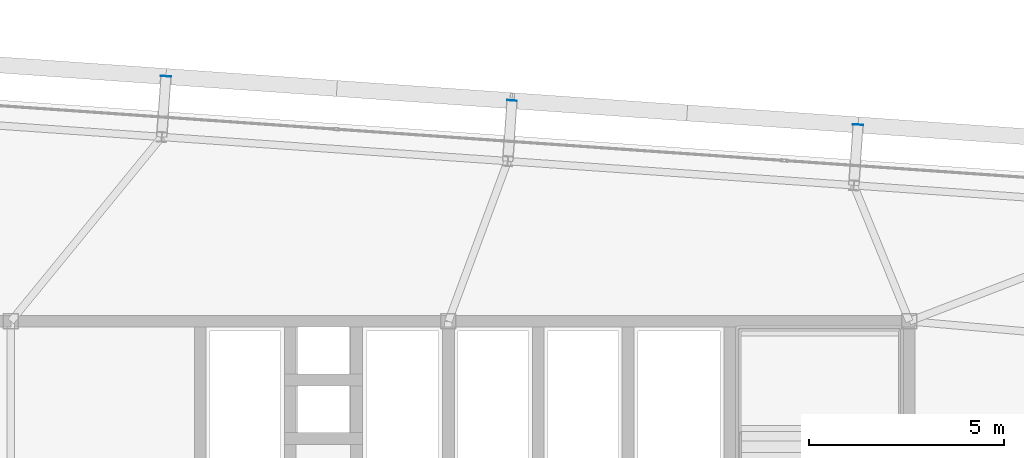
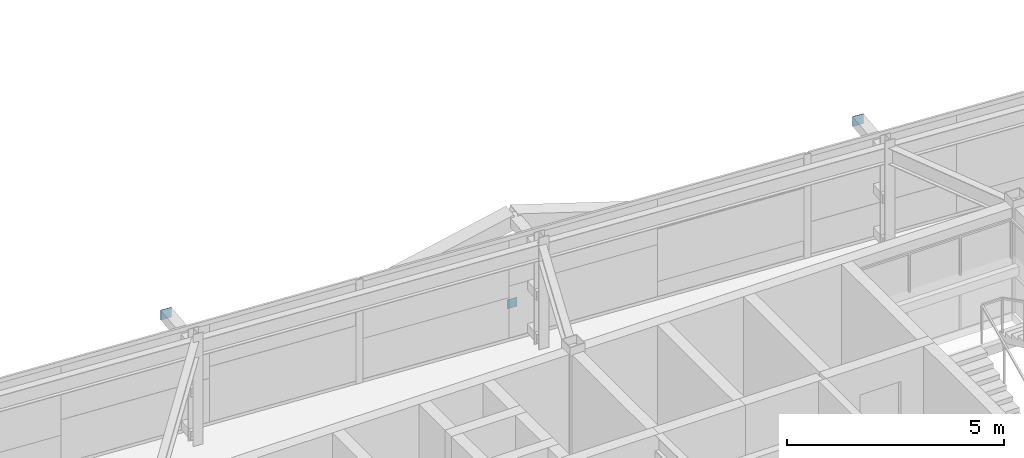
# One storey, part 33 of 39: 3 plates.
"""IFC4 building model written with IfcOpenShell, lengths in metres."""

from ifc_helpers import new_model, si_unit, direction, frame, origin, origin_2d, place, context, subcontext, project, spatial, rectangle, extrude, source, transform, mapped, material, layer, layer_set, type_object, element, save


model = new_model("IFC4")

# Units and contexts
model_context = context("Model", 3, precision=1e-05, world=origin(), true_north=direction((0.0, 1.0)))
body_context = subcontext(model_context, "Body", "Model", "MODEL_VIEW")
ifc_project = project(units=[si_unit("LENGTHUNIT", "METRE"), si_unit("AREAUNIT", "SQUARE_METRE"), si_unit("VOLUMEUNIT", "CUBIC_METRE"), si_unit("PLANEANGLEUNIT", "RADIAN"), si_unit("MASSUNIT", "GRAM", prefix="KILO")], contexts=[model_context])

# Site, building, storey
site_placement = place(None, origin())
site = spatial("IfcSite", under=ifc_project, at=site_placement, CompositionType="ELEMENT")
building_placement = place(site_placement, origin())
building = spatial("IfcBuilding", under=site, at=building_placement, Name="Taldren Reach Tower", CompositionType="ELEMENT")
storey_placement = place(building_placement, frame((0.0, 0.0, 145.60009765625)))
storey = spatial("IfcBuildingStorey", under=building, at=storey_placement, Name="L44", CompositionType="ELEMENT", Elevation=145.60009765625)

# Plates
ifc_material_1 = material(Name="Steel Gr 450 (C450L0)", Category="steel")
ifc_layer_1 = layer(ifc_material_1, 0.011962890625)
ifc_layer_set_1 = layer_set([ifc_layer_1], Name="Steel Gr 450 (C450L0)")
plate_type_1 = type_object("IfcPlateType", Name="PL-CAP-275", PredefinedType="SHEET", material=ifc_layer_set_1)
shared_shape_1 = source(origin(), body_context, "Body", "SweptSolid", [
    extrude(rectangle(XDim=0.27490234375, YDim=0.011962890625, at=origin_2d()), origin(), (0.0, 0.0, 1.0), 0.27490234375),
])
for number, where, z_axis, x_axis, name in (
    (1, (31.969970703125, 38.272216796875, 2.512451171875), (0.0, 0.0, 1.0), (0.99756405026, -0.069756473744, 0.0), "Tie strut end cap plate B3-N3 L44"),
    (2, (49.6865234375, 37.033203125, 2.512451171875), (0.0, 0.0, 1.0), (0.99756405026, -0.069756473744, 0.0), "Tie strut end cap plate B3-N5 L44"),
):
    element("IfcPlate", number, at=place(storey_placement, frame(where, z_axis=z_axis, x_axis=x_axis)), inside=storey, type_object=plate_type_1, Name=name, PredefinedType="SHEET", context=body_context, shape_type="MappedRepresentation", body=[
        mapped(shared_shape_1, transform((0.0, 0.0, 0.0), scale=1.0)),
    ])
ifc_material_2 = material(Name="Steel Gr 350 (C350L0)", Category="steel")
ifc_layer_2 = layer(ifc_material_2, 0.011962890625)
ifc_layer_set_2 = layer_set([ifc_layer_2], Name="Steel Gr 350 (C350L0)")
plate_type_2 = type_object("IfcPlateType", Name="PL-CAP-250", PredefinedType="SHEET", material=ifc_layer_set_2)
shared_shape_2 = source(origin(), body_context, "Body", "SweptSolid", [
    extrude(rectangle(XDim=0.25, YDim=0.011962890625, at=origin_2d()), origin(), (0.0, 0.0, 1.0), 0.25),
])
plate_placement = place(storey_placement, frame((40.828125, 37.652587890625, 0.094970703125), z_axis=(0.0, 0.0, 1.0), x_axis=(0.99756405026, -0.069756473744, 0.0)))
element("IfcPlate", 3, at=plate_placement, inside=storey, type_object=plate_type_2, Name="Tie strut end cap plate B3-N4 L44", PredefinedType="SHEET", context=body_context, shape_type="MappedRepresentation", body=[
    mapped(shared_shape_2, transform((0.0, 0.0, 0.0), scale=1.0)),
])

save(model, "model.ifc")
